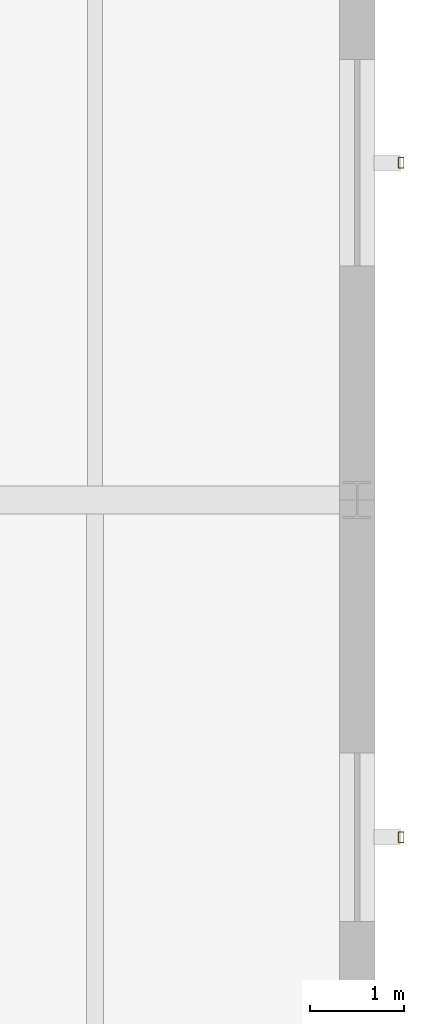
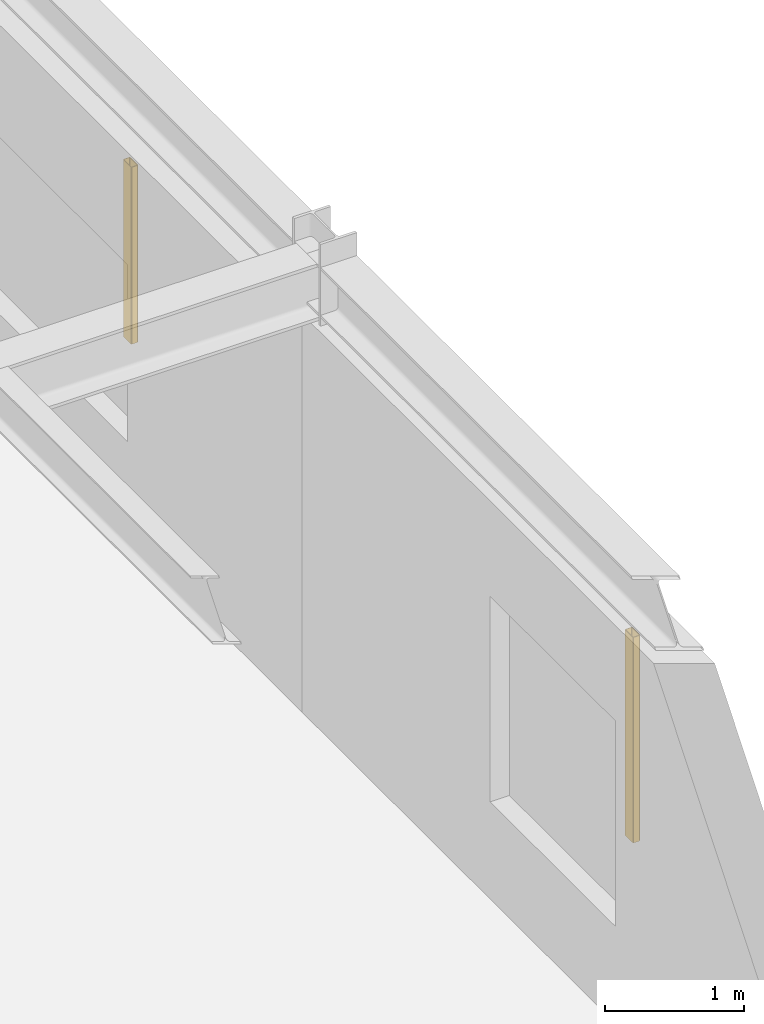
# One storey, part 101 of 109: 2 shading devices.
"""IFC4 building model written with IfcOpenShell, lengths in metres."""

from ifc_helpers import new_model, si_unit, derived_unit, direction, frame, origin, origin_2d, place, context, subcontext, project, spatial, hollow_rectangle, extrude, material, material_profile, profile_set, type_object, element, save


model = new_model("IFC4")

# Units and contexts
model_context = context("Model", 3, precision=1e-05, world=origin(), true_north=direction((0.0, 1.0)))
body_context = subcontext(model_context, "Body", "Model", "MODEL_VIEW")
ifc_project = project(units=[si_unit("LENGTHUNIT", "METRE"), si_unit("AREAUNIT", "SQUARE_METRE"), si_unit("VOLUMEUNIT", "CUBIC_METRE"), si_unit("PLANEANGLEUNIT", "RADIAN"), si_unit("MASSUNIT", "GRAM", prefix="KILO"), derived_unit("THERMALTRANSMITTANCEUNIT", [(si_unit("MASSUNIT", "GRAM", prefix="KILO"), 1), (si_unit("TIMEUNIT", "SECOND"), -3), (si_unit("THERMODYNAMICTEMPERATUREUNIT", "KELVIN"), -1)])], contexts=[model_context])

# Site, building, storey
site_placement = place(None, origin())
site = spatial("IfcSite", under=ifc_project, at=site_placement, CompositionType="ELEMENT")
building_placement = place(site_placement, origin())
building = spatial("IfcBuilding", under=site, at=building_placement, Name="Kharveza Railside Sports Centre", CompositionType="ELEMENT")
storey_placement = place(building_placement, frame((0.0, 0.0, 4.5)))
storey = spatial("IfcBuildingStorey", under=building, at=storey_placement, Name="L01", CompositionType="ELEMENT", Elevation=4.5)

# Shading devices
ifc_material = material(Name="Anodised aluminium 6063-T6", Category="aluminium")
ifc_material_profile = material_profile(ifc_material, hollow_rectangle(XDim=0.06005859375, YDim=0.1201171875, WallThickness=0.0048828125, InnerFilletRadius=0.0048828125, OuterFilletRadius=0.010009765625, at=origin_2d()), Name="RHS 60x120x5.0")
ifc_profile_set = profile_set([ifc_material_profile], Name="Anodised aluminium 6063-T6")
shading_device_type = type_object("IfcShadingDeviceType", Name="SD-LV01", PredefinedType="JALOUSIE", material=ifc_profile_set)
shading_device_1_placement = place(storey_placement, frame((168.469970703125, 46.800048828125, 0.85009765625), z_axis=(0.0, 0.0, 1.0), x_axis=(1.0, 0.0, 0.0)))
element("IfcShadingDevice", 1, at=shading_device_1_placement, inside=storey, type_object=shading_device_type, Name="SD-FIN-042", PredefinedType="JALOUSIE", context=body_context, shape_type="SweptSolid", body=[
    extrude(hollow_rectangle(XDim=0.06005859375, YDim=0.1201171875, WallThickness=0.0048828125, InnerFilletRadius=0.0048828125, OuterFilletRadius=0.010009765625, at=origin_2d()), origin(), (0.0, 0.0, 1.0), 1.7998046875),
])
shading_device_2_placement = place(storey_placement, frame((168.469970703125, 54.0, 0.85009765625), z_axis=(0.0, 0.0, 1.0), x_axis=(1.0, 0.0, 0.0)))
element("IfcShadingDevice", 2, at=shading_device_2_placement, inside=storey, type_object=shading_device_type, Name="SD-FIN-043", PredefinedType="JALOUSIE", context=body_context, shape_type="SweptSolid", body=[
    extrude(hollow_rectangle(XDim=0.06005859375, YDim=0.1201171875, WallThickness=0.0048828125, InnerFilletRadius=0.0048828125, OuterFilletRadius=0.010009765625, at=origin_2d()), origin(), (0.0, 0.0, 1.0), 1.5498046875),
])

save(model, "model.ifc")
